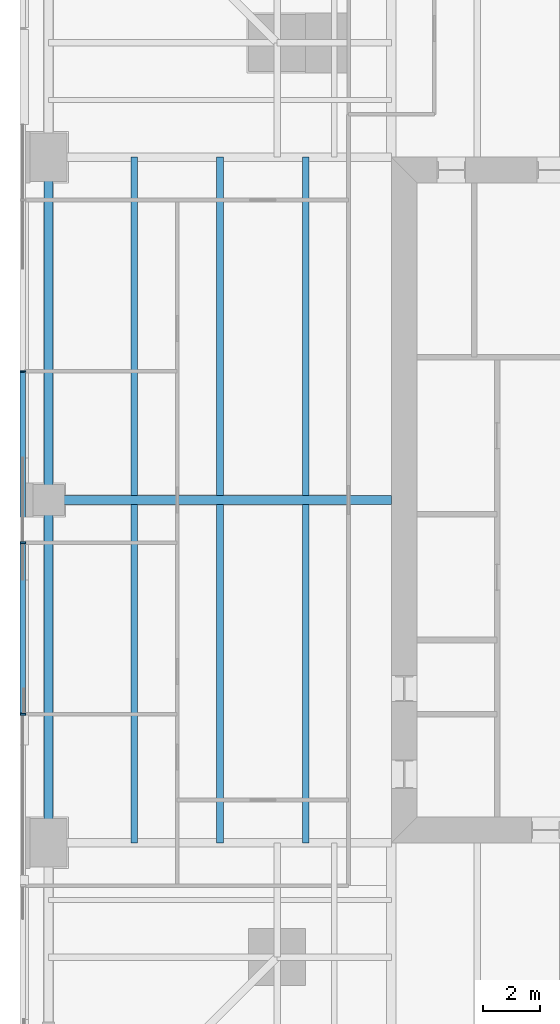
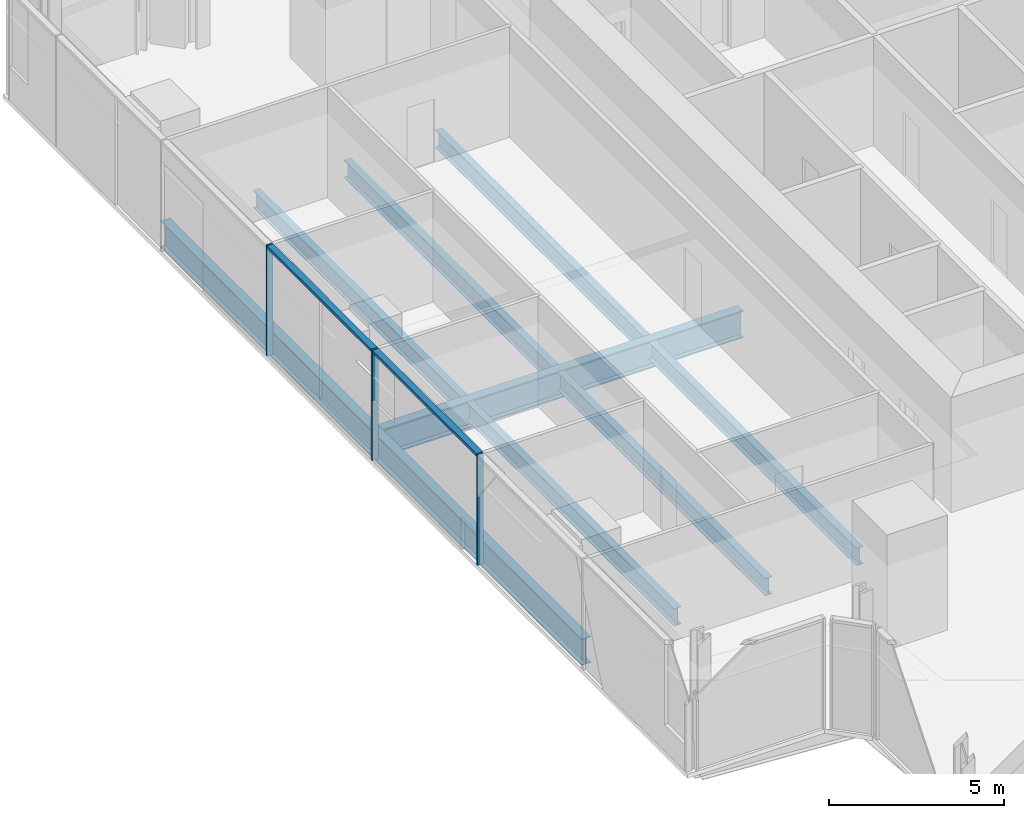
# One storey, part 4 of 14: 9 beams, 5 members, 1 element without a shape of its own.
"""IFC4 building model written with IfcOpenShell, lengths in metres."""

from ifc_helpers import new_model, si_unit, direction, frame, origin, origin_2d, place, context, subcontext, project, spatial, rectangle, i_section, extrude, material, material_profile, profile_set, type_object, element, aggregate, save


model = new_model("IFC4")

# Units and contexts
model_context = context("Model", 3, precision=1e-05, world=origin(), true_north=direction((0.0, 1.0)))
body_context = subcontext(model_context, "Body", "Model", "MODEL_VIEW")
ifc_project = project(units=[si_unit("LENGTHUNIT", "METRE"), si_unit("AREAUNIT", "SQUARE_METRE"), si_unit("VOLUMEUNIT", "CUBIC_METRE"), si_unit("PLANEANGLEUNIT", "RADIAN"), si_unit("MASSUNIT", "GRAM", prefix="KILO")], contexts=[model_context])

# Site, building, storey
site_placement = place(None, origin())
site = spatial("IfcSite", under=ifc_project, at=site_placement, CompositionType="ELEMENT")
building_placement = place(site_placement, origin())
building = spatial("IfcBuilding", under=site, at=building_placement, Name="Fenwick Lantern Interchange", CompositionType="ELEMENT")
storey_placement = place(building_placement, frame((0.0, 0.0, 221.800048828125)))
storey = spatial("IfcBuildingStorey", under=building, at=storey_placement, Name="L52", CompositionType="ELEMENT", Elevation=221.800048828125)

# Beams
ifc_material_1 = material(Name="Steel ASTM A992 Grade 50", Category="steel")
ifc_material_profile_1 = material_profile(ifc_material_1, i_section(OverallWidth=0.3046875, OverallDepth=0.911865234375, WebThickness=0.015869140625, FlangeThickness=0.02392578125, at=origin_2d()), Name="W36X150")
ifc_profile_set_1 = profile_set([ifc_material_profile_1], Name="Steel ASTM A992 Grade 50")
beam_type_1 = type_object("IfcBeamType", Name="EDGE BEAM W36X150", PredefinedType="SPANDREL", material=ifc_profile_set_1)
for number, where, z_axis, x_axis, name in (
    (1, (1.0, 37.0, -0.60595703125), (0.0, -1.0, 0.0), (1.0, 0.0, 0.0), "L52/FR/W/EB2"),
    (2, (1.0, 25.0, -0.60595703125), (0.0, -1.0, 0.0), (1.0, 0.0, 0.0), "L52/FR/W/EB3"),
):
    element("IfcBeam", number, at=place(storey_placement, frame(where, z_axis=z_axis, x_axis=x_axis)), inside=storey, type_object=beam_type_1, Name=name, PredefinedType="SPANDREL", context=body_context, shape_type="SweptSolid", body=[
        extrude(i_section(OverallWidth=0.3046875, OverallDepth=0.911865234375, WebThickness=0.015869140625, FlangeThickness=0.02392578125, at=origin_2d()), origin(), (0.0, 0.0, 1.0), 12.0),
    ])
ifc_material_profile_2 = material_profile(ifc_material_1, i_section(OverallWidth=0.22900390625, OverallDepth=0.612060546875, WebThickness=0.011962890625, FlangeThickness=0.01953125, at=origin_2d()), Name="W24X84")
ifc_profile_set_2 = profile_set([ifc_material_profile_2], Name="Steel ASTM A992 Grade 50")
beam_type_2 = type_object("IfcBeamType", Name="FLOOR BEAM W24X84", PredefinedType="BEAM", material=ifc_profile_set_2)
for number, where, z_axis, x_axis, name in (
    (3, (4.0, 37.0, -0.4560546875), (0.0, -1.0, 0.0), (1.0, 0.0, 0.0), "L52/FR/W/B01"),
    (4, (7.0, 37.0, -0.4560546875), (0.0, -1.0, 0.0), (1.0, 0.0, 0.0), "L52/FR/W/B02"),
    (5, (10.0, 37.0, -0.4560546875), (0.0, -1.0, 0.0), (1.0, 0.0, 0.0), "L52/FR/W/B03"),
    (6, (4.0, 24.844970703125, -0.4560546875), (0.0, -1.0, 0.0), (1.0, 0.0, 0.0), "L52/FR/W/B04"),
    (7, (7.0, 24.844970703125, -0.4560546875), (0.0, -1.0, 0.0), (1.0, 0.0, 0.0), "L52/FR/W/B05"),
    (8, (10.0, 24.844970703125, -0.4560546875), (0.0, -1.0, 0.0), (1.0, 0.0, 0.0), "L52/FR/W/B06"),
):
    element("IfcBeam", number, at=place(storey_placement, frame(where, z_axis=z_axis, x_axis=x_axis)), inside=storey, type_object=beam_type_2, Name=name, PredefinedType="BEAM", context=body_context, shape_type="SweptSolid", body=[
        extrude(i_section(OverallWidth=0.22900390625, OverallDepth=0.612060546875, WebThickness=0.011962890625, FlangeThickness=0.01953125, at=origin_2d()), origin(), (0.0, 0.0, 1.0), 11.844970703125),
    ])
ifc_material_profile_3 = material_profile(ifc_material_1, i_section(OverallWidth=0.309814453125, OverallDepth=0.949951171875, WebThickness=0.0244140625, FlangeThickness=0.0439453125, at=origin_2d()), Name="W36X256")
ifc_profile_set_3 = profile_set([ifc_material_profile_3], Name="Steel ASTM A992 Grade 50")
beam_type_3 = type_object("IfcBeamType", Name="MOMENT-CONNECTED GIRDER W36X256", PredefinedType="BEAM", material=ifc_profile_set_3)
beam_placement = place(storey_placement, frame((1.0, 25.0, -0.625), z_axis=(1.0, 0.0, 0.0), x_axis=(0.0, 1.0, 0.0)))
element("IfcBeam", 9, at=beam_placement, inside=storey, type_object=beam_type_3, Name="L52/FR/W/R02", PredefinedType="BEAM", context=body_context, shape_type="SweptSolid", body=[
    extrude(i_section(OverallWidth=0.309814453125, OverallDepth=0.949951171875, WebThickness=0.0244140625, FlangeThickness=0.0439453125, at=origin_2d()), origin(), (0.0, 0.0, 1.0), 12.0),
])

# Curtain wall, members
ifc_material_2 = material(Name="Aluminium curtain wall frame", Category="aluminium")
curtain_wall_type = type_object("IfcCurtainWallType", Name="OFFICE CURTAIN WALL", PredefinedType="USERDEFINED", material=ifc_material_2)
curtain_wall_placement = place(storey_placement, origin())
curtain_wall = element("IfcCurtainWall", 10, at=curtain_wall_placement, inside=storey, type_object=curtain_wall_type, Name="Office curtain wall 13", ObjectType="OFFICE CURTAIN WALL", PredefinedType="USERDEFINED")
ifc_material_3 = material(Name="Aluminium extrusion", Category="aluminium")
ifc_material_profile_4 = material_profile(ifc_material_3, rectangle(XDim=0.199951171875, YDim=0.06494140625, at=origin_2d()), Name="OFFICE CURTAIN WALL MULLION 65 X 200")
ifc_profile_set_4 = profile_set([ifc_material_profile_4], Name="Aluminium extrusion")
member_type_1 = type_object("IfcMemberType", Name="OFFICE CURTAIN WALL MULLION 65 X 200", PredefinedType="MULLION", material=ifc_profile_set_4)
member_1_placement = place(storey_placement, frame((0.10009765625, 29.5, 0.0), z_axis=(0.0, 0.0, 1.0), x_axis=(1.0, 0.0, 0.0)))
member_1 = element("IfcMember", 11, at=member_1_placement, type_object=member_type_1, Name="L52/CW/13/M03", PredefinedType="MULLION", context=body_context, shape_type="SweptSolid", body=[
    extrude(rectangle(XDim=0.199951171875, YDim=0.06494140625, at=origin_2d()), origin(), (0.0, 0.0, 1.0), 3.849853515625),
])
member_2_placement = place(storey_placement, frame((0.10009765625, 23.5, 0.0), z_axis=(0.0, 0.0, 1.0), x_axis=(1.0, 0.0, 0.0)))
member_2 = element("IfcMember", 12, at=member_2_placement, type_object=member_type_1, Name="L52/CW/13/M04", PredefinedType="MULLION", context=body_context, shape_type="SweptSolid", body=[
    extrude(rectangle(XDim=0.199951171875, YDim=0.06494140625, at=origin_2d()), origin(), (0.0, 0.0, 1.0), 3.849853515625),
])
member_3_placement = place(storey_placement, frame((0.10009765625, 17.5, 0.0), z_axis=(0.0, 0.0, 1.0), x_axis=(1.0, 0.0, 0.0)))
member_3 = element("IfcMember", 13, at=member_3_placement, type_object=member_type_1, Name="L52/CW/13/M05", PredefinedType="MULLION", context=body_context, shape_type="SweptSolid", body=[
    extrude(rectangle(XDim=0.199951171875, YDim=0.06494140625, at=origin_2d()), origin(), (0.0, 0.0, 1.0), 3.849853515625),
])
ifc_material_profile_5 = material_profile(ifc_material_3, rectangle(XDim=0.199951171875, YDim=0.10009765625, at=origin_2d()), Name="OFFICE CURTAIN WALL TRANSOM 100 X 200")
ifc_profile_set_5 = profile_set([ifc_material_profile_5], Name="Aluminium extrusion")
member_type_2 = type_object("IfcMemberType", Name="OFFICE CURTAIN WALL TRANSOM 100 X 200", PredefinedType="MULLION", material=ifc_profile_set_5)
member_4_placement = place(storey_placement, frame((0.10009765625, 29.467529296875, 3.800048828125), z_axis=(0.0, -1.0, 0.0), x_axis=(1.0, 0.0, 0.0)))
member_4 = element("IfcMember", 14, at=member_4_placement, type_object=member_type_2, Name="L52/CW/13/T03", PredefinedType="MULLION", context=body_context, shape_type="SweptSolid", body=[
    extrude(rectangle(XDim=0.199951171875, YDim=0.10009765625, at=origin_2d()), origin(), (0.0, 0.0, 1.0), 5.93505859375),
])
member_5_placement = place(storey_placement, frame((0.10009765625, 23.467529296875, 3.800048828125), z_axis=(0.0, -1.0, 0.0), x_axis=(1.0, 0.0, 0.0)))
member_5 = element("IfcMember", 15, at=member_5_placement, type_object=member_type_2, Name="L52/CW/13/T04", PredefinedType="MULLION", context=body_context, shape_type="SweptSolid", body=[
    extrude(rectangle(XDim=0.199951171875, YDim=0.10009765625, at=origin_2d()), origin(), (0.0, 0.0, 1.0), 5.93505859375),
])
aggregate(curtain_wall, [member_1, member_2, member_3, member_4, member_5])

save(model, "model.ifc")
